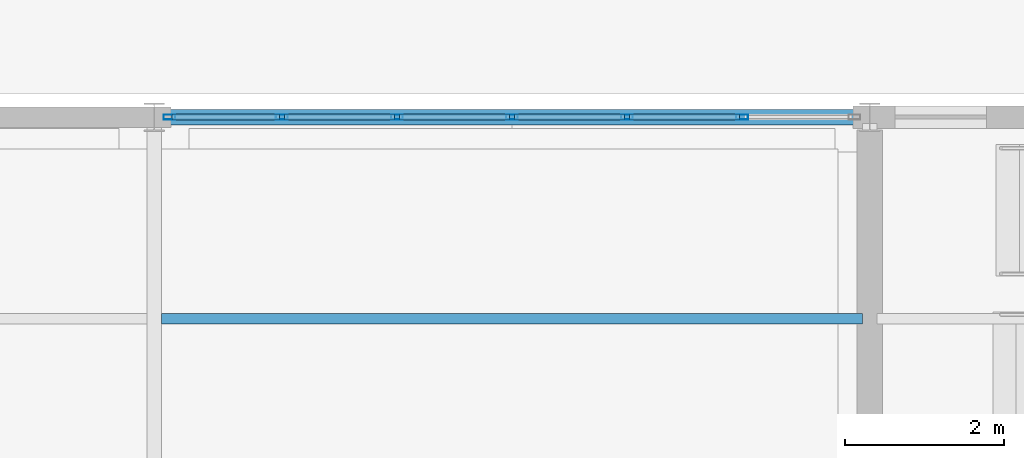
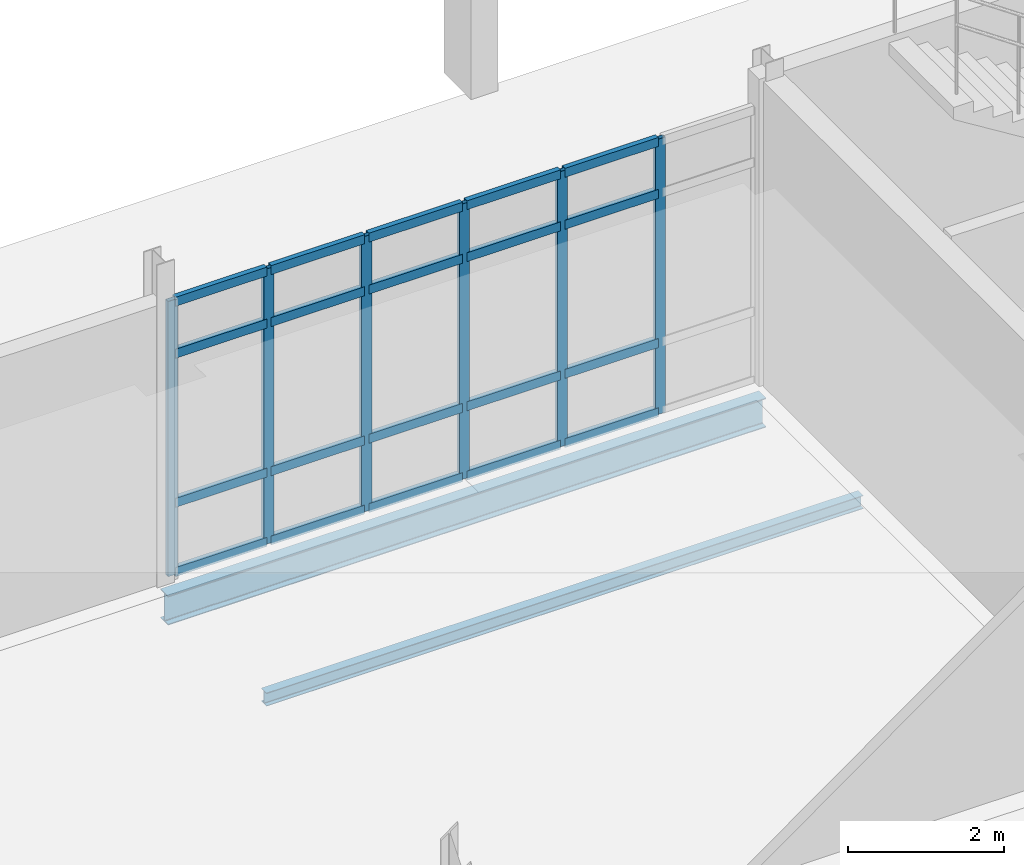
# One storey, part 91 of 161: 26 members, 2 beams, 1 element without a shape of its own.
"""IFC4 building model written with IfcOpenShell, lengths in metres."""

from ifc_helpers import new_model, si_unit, direction, frame, origin, origin_2d, place, context, subcontext, project, spatial, hollow_rectangle, i_section, extrude, material, material_profile, profile_set, type_object, element, aggregate, save


model = new_model("IFC4")

# Units and contexts
model_context = context("Model", 3, precision=1e-05, world=origin(), true_north=direction((0.0, 1.0)))
body_context = subcontext(model_context, "Body", "Model", "MODEL_VIEW")
ifc_project = project(units=[si_unit("LENGTHUNIT", "METRE"), si_unit("AREAUNIT", "SQUARE_METRE"), si_unit("VOLUMEUNIT", "CUBIC_METRE"), si_unit("PLANEANGLEUNIT", "RADIAN"), si_unit("MASSUNIT", "GRAM", prefix="KILO")], contexts=[model_context])

# Site, building, storey
site_placement = place(None, origin())
site = spatial("IfcSite", under=ifc_project, at=site_placement, CompositionType="ELEMENT")
building_placement = place(site_placement, origin())
building = spatial("IfcBuilding", under=site, at=building_placement, Name="Caisbarro Railhouse Central Library", CompositionType="ELEMENT")
storey_placement = place(building_placement, origin())
storey = spatial("IfcBuildingStorey", under=building, at=storey_placement, Name="L00", CompositionType="ELEMENT", Elevation=0.0)

# Beams
ifc_material_1 = material(Name="Steel ASTM A572 Grade 50", Category="steel")
ifc_material_profile_1 = material_profile(ifc_material_1, i_section(OverallWidth=0.133056640625, OverallDepth=0.20703125, WebThickness=0.005859375, FlangeThickness=0.00830078125, FilletRadius=0.010009765625, at=origin_2d()), Name="W200X26.6")
ifc_profile_set_1 = profile_set([ifc_material_profile_1], Name="Steel ASTM A572 Grade 50")
beam_type_1 = type_object("IfcBeamType", Name="BM-J07", PredefinedType="JOIST", material=ifc_profile_set_1)
beam_1_placement = place(storey_placement, frame((72.089111328125, 103.86669921875, -0.353515625), z_axis=(1.0, 0.0, 0.0), x_axis=(0.0, 1.0, 0.0)))
element("IfcBeam", 1, at=beam_1_placement, inside=storey, type_object=beam_type_1, Name="J07 beam L00 #668", PredefinedType="JOIST", context=body_context, shape_type="SweptSolid", body=[
    extrude(i_section(OverallWidth=0.133056640625, OverallDepth=0.20703125, WebThickness=0.005859375, FlangeThickness=0.00830078125, FilletRadius=0.010009765625, at=origin_2d()), origin(), (0.0, 0.0, 1.0), 8.82177734375),
])
ifc_material_profile_2 = material_profile(ifc_material_1, i_section(OverallWidth=0.18994140625, OverallDepth=0.45703125, WebThickness=0.009033203125, FlangeThickness=0.014404296875, FilletRadius=0.01806640625, at=origin_2d()), Name="W460X74.0")
ifc_profile_set_2 = profile_set([ifc_material_profile_2], Name="Steel ASTM A572 Grade 50")
beam_type_2 = type_object("IfcBeamType", Name="BM-SP01", PredefinedType="SPANDREL", material=ifc_profile_set_2)
beam_2_placement = place(storey_placement, frame((72.080078125, 106.39990234375, -0.478515625), z_axis=(1.0, 0.0, 0.0), x_axis=(0.0, 1.0, 0.0)))
element("IfcBeam", 2, at=beam_2_placement, inside=storey, type_object=beam_type_2, Name="SP01 beam L00 #630", PredefinedType="SPANDREL", context=body_context, shape_type="SweptSolid", body=[
    extrude(i_section(OverallWidth=0.18994140625, OverallDepth=0.45703125, WebThickness=0.009033203125, FlangeThickness=0.014404296875, FilletRadius=0.01806640625, at=origin_2d()), origin(), (0.0, 0.0, 1.0), 8.83984375),
])

# Curtain wall, members
ifc_material_2 = material(Name="Anodised architectural aluminium", Category="aluminium")
curtain_wall_type = type_object("IfcCurtainWallType", Name="CW-CW03", PredefinedType="NOTDEFINED", material=ifc_material_2)
curtain_wall_placement = place(storey_placement, origin())
curtain_wall = element("IfcCurtainWall", 3, at=curtain_wall_placement, inside=storey, type_object=curtain_wall_type, Name="CW03 curtain wall L00 #169", PredefinedType="NOTDEFINED")
ifc_material_profile_3 = material_profile(ifc_material_2, hollow_rectangle(XDim=0.06494140625, YDim=0.14990234375, WallThickness=0.00390625, at=origin_2d()), Name="ALU-MUL-65X150")
ifc_profile_set_3 = profile_set([ifc_material_profile_3], Name="Anodised architectural aluminium")
member_type_1 = type_object("IfcMemberType", Name="CWM-M02", PredefinedType="MULLION", material=ifc_profile_set_3)
member_1_placement = place(storey_placement, frame((72.1923828125, 106.39990234375, 0.0), z_axis=(0.0, 0.0, 1.0), x_axis=(0.0, 1.0, 0.0)))
member_1 = element("IfcMember", 4, at=member_1_placement, type_object=member_type_1, Name="CW03 mullion 1", PredefinedType="MULLION", context=body_context, shape_type="SweptSolid", body=[
    extrude(hollow_rectangle(XDim=0.06494140625, YDim=0.14990234375, WallThickness=0.00390625, at=origin_2d()), origin(), (0.0, 0.0, 1.0), 4.300048828125),
])
member_2_placement = place(storey_placement, frame((73.606689453125, 106.39990234375, 0.0), z_axis=(0.0, 0.0, 1.0), x_axis=(0.0, 1.0, 0.0)))
member_2 = element("IfcMember", 5, at=member_2_placement, type_object=member_type_1, Name="CW03 mullion 2", PredefinedType="MULLION", context=body_context, shape_type="SweptSolid", body=[
    extrude(hollow_rectangle(XDim=0.06494140625, YDim=0.14990234375, WallThickness=0.00390625, at=origin_2d()), origin(), (0.0, 0.0, 1.0), 4.300048828125),
])
member_3_placement = place(storey_placement, frame((75.05322265625, 106.39990234375, 0.0), z_axis=(0.0, 0.0, 1.0), x_axis=(0.0, 1.0, 0.0)))
member_3 = element("IfcMember", 6, at=member_3_placement, type_object=member_type_1, Name="CW03 mullion 3", PredefinedType="MULLION", context=body_context, shape_type="SweptSolid", body=[
    extrude(hollow_rectangle(XDim=0.06494140625, YDim=0.14990234375, WallThickness=0.00390625, at=origin_2d()), origin(), (0.0, 0.0, 1.0), 4.300048828125),
])
member_4_placement = place(storey_placement, frame((76.5, 106.39990234375, 0.0), z_axis=(0.0, 0.0, 1.0), x_axis=(0.0, 1.0, 0.0)))
member_4 = element("IfcMember", 7, at=member_4_placement, type_object=member_type_1, Name="CW03 mullion 4", PredefinedType="MULLION", context=body_context, shape_type="SweptSolid", body=[
    extrude(hollow_rectangle(XDim=0.06494140625, YDim=0.14990234375, WallThickness=0.00390625, at=origin_2d()), origin(), (0.0, 0.0, 1.0), 4.300048828125),
])
member_5_placement = place(storey_placement, frame((77.94677734375, 106.39990234375, 0.0), z_axis=(0.0, 0.0, 1.0), x_axis=(0.0, 1.0, 0.0)))
member_5 = element("IfcMember", 8, at=member_5_placement, type_object=member_type_1, Name="CW03 mullion 5", PredefinedType="MULLION", context=body_context, shape_type="SweptSolid", body=[
    extrude(hollow_rectangle(XDim=0.06494140625, YDim=0.14990234375, WallThickness=0.00390625, at=origin_2d()), origin(), (0.0, 0.0, 1.0), 4.300048828125),
])
member_6_placement = place(storey_placement, frame((79.393310546875, 106.39990234375, 0.0), z_axis=(0.0, 0.0, 1.0), x_axis=(0.0, 1.0, 0.0)))
member_6 = element("IfcMember", 9, at=member_6_placement, type_object=member_type_1, Name="CW03 mullion 6", PredefinedType="MULLION", context=body_context, shape_type="SweptSolid", body=[
    extrude(hollow_rectangle(XDim=0.06494140625, YDim=0.14990234375, WallThickness=0.00390625, at=origin_2d()), origin(), (0.0, 0.0, 1.0), 4.300048828125),
])
ifc_material_profile_4 = material_profile(ifc_material_2, hollow_rectangle(XDim=0.074951171875, YDim=0.139892578125, WallThickness=0.00390625, at=origin_2d()), Name="ALU-TRN-75X140")
ifc_profile_set_4 = profile_set([ifc_material_profile_4], Name="Anodised architectural aluminium")
member_type_2 = type_object("IfcMemberType", Name="CWT-T01", PredefinedType="USERDEFINED", material=ifc_profile_set_4)
member_7_placement = place(storey_placement, frame((72.22509765625, 106.39990234375, 0.03759765625), z_axis=(1.0, 0.0, 0.0), x_axis=(0.0, 1.0, 0.0)))
member_7 = element("IfcMember", 10, at=member_7_placement, type_object=member_type_2, Name="CW03 transom 1.1", ObjectType="TRANSOM", PredefinedType="USERDEFINED", context=body_context, shape_type="SweptSolid", body=[
    extrude(hollow_rectangle(XDim=0.074951171875, YDim=0.139892578125, WallThickness=0.00390625, at=origin_2d()), origin(), (0.0, 0.0, 1.0), 1.34912109375),
])
member_8_placement = place(storey_placement, frame((72.22509765625, 106.39990234375, 1.1201171875), z_axis=(1.0, 0.0, 0.0), x_axis=(0.0, 1.0, 0.0)))
member_8 = element("IfcMember", 11, at=member_8_placement, type_object=member_type_2, Name="CW03 transom 1.2", ObjectType="TRANSOM", PredefinedType="USERDEFINED", context=body_context, shape_type="SweptSolid", body=[
    extrude(hollow_rectangle(XDim=0.074951171875, YDim=0.139892578125, WallThickness=0.00390625, at=origin_2d()), origin(), (0.0, 0.0, 1.0), 1.34912109375),
])
member_9_placement = place(storey_placement, frame((72.22509765625, 106.39990234375, 3.449951171875), z_axis=(1.0, 0.0, 0.0), x_axis=(0.0, 1.0, 0.0)))
member_9 = element("IfcMember", 12, at=member_9_placement, type_object=member_type_2, Name="CW03 transom 1.3", ObjectType="TRANSOM", PredefinedType="USERDEFINED", context=body_context, shape_type="SweptSolid", body=[
    extrude(hollow_rectangle(XDim=0.074951171875, YDim=0.139892578125, WallThickness=0.00390625, at=origin_2d()), origin(), (0.0, 0.0, 1.0), 1.34912109375),
])
member_10_placement = place(storey_placement, frame((72.22509765625, 106.39990234375, 4.262451171875), z_axis=(1.0, 0.0, 0.0), x_axis=(0.0, 1.0, 0.0)))
member_10 = element("IfcMember", 13, at=member_10_placement, type_object=member_type_2, Name="CW03 transom 1.4", ObjectType="TRANSOM", PredefinedType="USERDEFINED", context=body_context, shape_type="SweptSolid", body=[
    extrude(hollow_rectangle(XDim=0.074951171875, YDim=0.139892578125, WallThickness=0.00390625, at=origin_2d()), origin(), (0.0, 0.0, 1.0), 1.34912109375),
])
member_11_placement = place(storey_placement, frame((73.63916015625, 106.39990234375, 0.03759765625), z_axis=(1.0, 0.0, 0.0), x_axis=(0.0, 1.0, 0.0)))
member_11 = element("IfcMember", 14, at=member_11_placement, type_object=member_type_2, Name="CW03 transom 2.1", ObjectType="TRANSOM", PredefinedType="USERDEFINED", context=body_context, shape_type="SweptSolid", body=[
    extrude(hollow_rectangle(XDim=0.074951171875, YDim=0.139892578125, WallThickness=0.00390625, at=origin_2d()), origin(), (0.0, 0.0, 1.0), 1.381591796875),
])
member_12_placement = place(storey_placement, frame((73.63916015625, 106.39990234375, 1.1201171875), z_axis=(1.0, 0.0, 0.0), x_axis=(0.0, 1.0, 0.0)))
member_12 = element("IfcMember", 15, at=member_12_placement, type_object=member_type_2, Name="CW03 transom 2.2", ObjectType="TRANSOM", PredefinedType="USERDEFINED", context=body_context, shape_type="SweptSolid", body=[
    extrude(hollow_rectangle(XDim=0.074951171875, YDim=0.139892578125, WallThickness=0.00390625, at=origin_2d()), origin(), (0.0, 0.0, 1.0), 1.381591796875),
])
member_13_placement = place(storey_placement, frame((73.63916015625, 106.39990234375, 3.449951171875), z_axis=(1.0, 0.0, 0.0), x_axis=(0.0, 1.0, 0.0)))
member_13 = element("IfcMember", 16, at=member_13_placement, type_object=member_type_2, Name="CW03 transom 2.3", ObjectType="TRANSOM", PredefinedType="USERDEFINED", context=body_context, shape_type="SweptSolid", body=[
    extrude(hollow_rectangle(XDim=0.074951171875, YDim=0.139892578125, WallThickness=0.00390625, at=origin_2d()), origin(), (0.0, 0.0, 1.0), 1.381591796875),
])
member_14_placement = place(storey_placement, frame((73.63916015625, 106.39990234375, 4.262451171875), z_axis=(1.0, 0.0, 0.0), x_axis=(0.0, 1.0, 0.0)))
member_14 = element("IfcMember", 17, at=member_14_placement, type_object=member_type_2, Name="CW03 transom 2.4", ObjectType="TRANSOM", PredefinedType="USERDEFINED", context=body_context, shape_type="SweptSolid", body=[
    extrude(hollow_rectangle(XDim=0.074951171875, YDim=0.139892578125, WallThickness=0.00390625, at=origin_2d()), origin(), (0.0, 0.0, 1.0), 1.381591796875),
])
member_15_placement = place(storey_placement, frame((75.0859375, 106.39990234375, 0.03759765625), z_axis=(1.0, 0.0, 0.0), x_axis=(0.0, 1.0, 0.0)))
member_15 = element("IfcMember", 18, at=member_15_placement, type_object=member_type_2, Name="CW03 transom 3.1", ObjectType="TRANSOM", PredefinedType="USERDEFINED", context=body_context, shape_type="SweptSolid", body=[
    extrude(hollow_rectangle(XDim=0.074951171875, YDim=0.139892578125, WallThickness=0.00390625, at=origin_2d()), origin(), (0.0, 0.0, 1.0), 1.381591796875),
])
member_16_placement = place(storey_placement, frame((75.0859375, 106.39990234375, 1.1201171875), z_axis=(1.0, 0.0, 0.0), x_axis=(0.0, 1.0, 0.0)))
member_16 = element("IfcMember", 19, at=member_16_placement, type_object=member_type_2, Name="CW03 transom 3.2", ObjectType="TRANSOM", PredefinedType="USERDEFINED", context=body_context, shape_type="SweptSolid", body=[
    extrude(hollow_rectangle(XDim=0.074951171875, YDim=0.139892578125, WallThickness=0.00390625, at=origin_2d()), origin(), (0.0, 0.0, 1.0), 1.381591796875),
])
member_17_placement = place(storey_placement, frame((75.0859375, 106.39990234375, 3.449951171875), z_axis=(1.0, 0.0, 0.0), x_axis=(0.0, 1.0, 0.0)))
member_17 = element("IfcMember", 20, at=member_17_placement, type_object=member_type_2, Name="CW03 transom 3.3", ObjectType="TRANSOM", PredefinedType="USERDEFINED", context=body_context, shape_type="SweptSolid", body=[
    extrude(hollow_rectangle(XDim=0.074951171875, YDim=0.139892578125, WallThickness=0.00390625, at=origin_2d()), origin(), (0.0, 0.0, 1.0), 1.381591796875),
])
member_18_placement = place(storey_placement, frame((75.0859375, 106.39990234375, 4.262451171875), z_axis=(1.0, 0.0, 0.0), x_axis=(0.0, 1.0, 0.0)))
member_18 = element("IfcMember", 21, at=member_18_placement, type_object=member_type_2, Name="CW03 transom 3.4", ObjectType="TRANSOM", PredefinedType="USERDEFINED", context=body_context, shape_type="SweptSolid", body=[
    extrude(hollow_rectangle(XDim=0.074951171875, YDim=0.139892578125, WallThickness=0.00390625, at=origin_2d()), origin(), (0.0, 0.0, 1.0), 1.381591796875),
])
member_19_placement = place(storey_placement, frame((76.532470703125, 106.39990234375, 0.03759765625), z_axis=(1.0, 0.0, 0.0), x_axis=(0.0, 1.0, 0.0)))
member_19 = element("IfcMember", 22, at=member_19_placement, type_object=member_type_2, Name="CW03 transom 4.1", ObjectType="TRANSOM", PredefinedType="USERDEFINED", context=body_context, shape_type="SweptSolid", body=[
    extrude(hollow_rectangle(XDim=0.074951171875, YDim=0.139892578125, WallThickness=0.00390625, at=origin_2d()), origin(), (0.0, 0.0, 1.0), 1.381591796875),
])
member_20_placement = place(storey_placement, frame((76.532470703125, 106.39990234375, 1.1201171875), z_axis=(1.0, 0.0, 0.0), x_axis=(0.0, 1.0, 0.0)))
member_20 = element("IfcMember", 23, at=member_20_placement, type_object=member_type_2, Name="CW03 transom 4.2", ObjectType="TRANSOM", PredefinedType="USERDEFINED", context=body_context, shape_type="SweptSolid", body=[
    extrude(hollow_rectangle(XDim=0.074951171875, YDim=0.139892578125, WallThickness=0.00390625, at=origin_2d()), origin(), (0.0, 0.0, 1.0), 1.381591796875),
])
member_21_placement = place(storey_placement, frame((76.532470703125, 106.39990234375, 3.449951171875), z_axis=(1.0, 0.0, 0.0), x_axis=(0.0, 1.0, 0.0)))
member_21 = element("IfcMember", 24, at=member_21_placement, type_object=member_type_2, Name="CW03 transom 4.3", ObjectType="TRANSOM", PredefinedType="USERDEFINED", context=body_context, shape_type="SweptSolid", body=[
    extrude(hollow_rectangle(XDim=0.074951171875, YDim=0.139892578125, WallThickness=0.00390625, at=origin_2d()), origin(), (0.0, 0.0, 1.0), 1.381591796875),
])
member_22_placement = place(storey_placement, frame((76.532470703125, 106.39990234375, 4.262451171875), z_axis=(1.0, 0.0, 0.0), x_axis=(0.0, 1.0, 0.0)))
member_22 = element("IfcMember", 25, at=member_22_placement, type_object=member_type_2, Name="CW03 transom 4.4", ObjectType="TRANSOM", PredefinedType="USERDEFINED", context=body_context, shape_type="SweptSolid", body=[
    extrude(hollow_rectangle(XDim=0.074951171875, YDim=0.139892578125, WallThickness=0.00390625, at=origin_2d()), origin(), (0.0, 0.0, 1.0), 1.381591796875),
])
member_23_placement = place(storey_placement, frame((77.979248046875, 106.39990234375, 0.03759765625), z_axis=(1.0, 0.0, 0.0), x_axis=(0.0, 1.0, 0.0)))
member_23 = element("IfcMember", 26, at=member_23_placement, type_object=member_type_2, Name="CW03 transom 5.1", ObjectType="TRANSOM", PredefinedType="USERDEFINED", context=body_context, shape_type="SweptSolid", body=[
    extrude(hollow_rectangle(XDim=0.074951171875, YDim=0.139892578125, WallThickness=0.00390625, at=origin_2d()), origin(), (0.0, 0.0, 1.0), 1.381591796875),
])
member_24_placement = place(storey_placement, frame((77.979248046875, 106.39990234375, 1.1201171875), z_axis=(1.0, 0.0, 0.0), x_axis=(0.0, 1.0, 0.0)))
member_24 = element("IfcMember", 27, at=member_24_placement, type_object=member_type_2, Name="CW03 transom 5.2", ObjectType="TRANSOM", PredefinedType="USERDEFINED", context=body_context, shape_type="SweptSolid", body=[
    extrude(hollow_rectangle(XDim=0.074951171875, YDim=0.139892578125, WallThickness=0.00390625, at=origin_2d()), origin(), (0.0, 0.0, 1.0), 1.381591796875),
])
member_25_placement = place(storey_placement, frame((77.979248046875, 106.39990234375, 3.449951171875), z_axis=(1.0, 0.0, 0.0), x_axis=(0.0, 1.0, 0.0)))
member_25 = element("IfcMember", 28, at=member_25_placement, type_object=member_type_2, Name="CW03 transom 5.3", ObjectType="TRANSOM", PredefinedType="USERDEFINED", context=body_context, shape_type="SweptSolid", body=[
    extrude(hollow_rectangle(XDim=0.074951171875, YDim=0.139892578125, WallThickness=0.00390625, at=origin_2d()), origin(), (0.0, 0.0, 1.0), 1.381591796875),
])
member_26_placement = place(storey_placement, frame((77.979248046875, 106.39990234375, 4.262451171875), z_axis=(1.0, 0.0, 0.0), x_axis=(0.0, 1.0, 0.0)))
member_26 = element("IfcMember", 29, at=member_26_placement, type_object=member_type_2, Name="CW03 transom 5.4", ObjectType="TRANSOM", PredefinedType="USERDEFINED", context=body_context, shape_type="SweptSolid", body=[
    extrude(hollow_rectangle(XDim=0.074951171875, YDim=0.139892578125, WallThickness=0.00390625, at=origin_2d()), origin(), (0.0, 0.0, 1.0), 1.381591796875),
])
aggregate(curtain_wall, [member_1, member_2, member_3, member_4, member_5, member_6, member_7, member_8, member_9, member_10, member_11, member_12, member_13, member_14, member_15, member_16, member_17, member_18, member_19, member_20, member_21, member_22, member_23, member_24, member_25, member_26])

save(model, "model.ifc")
